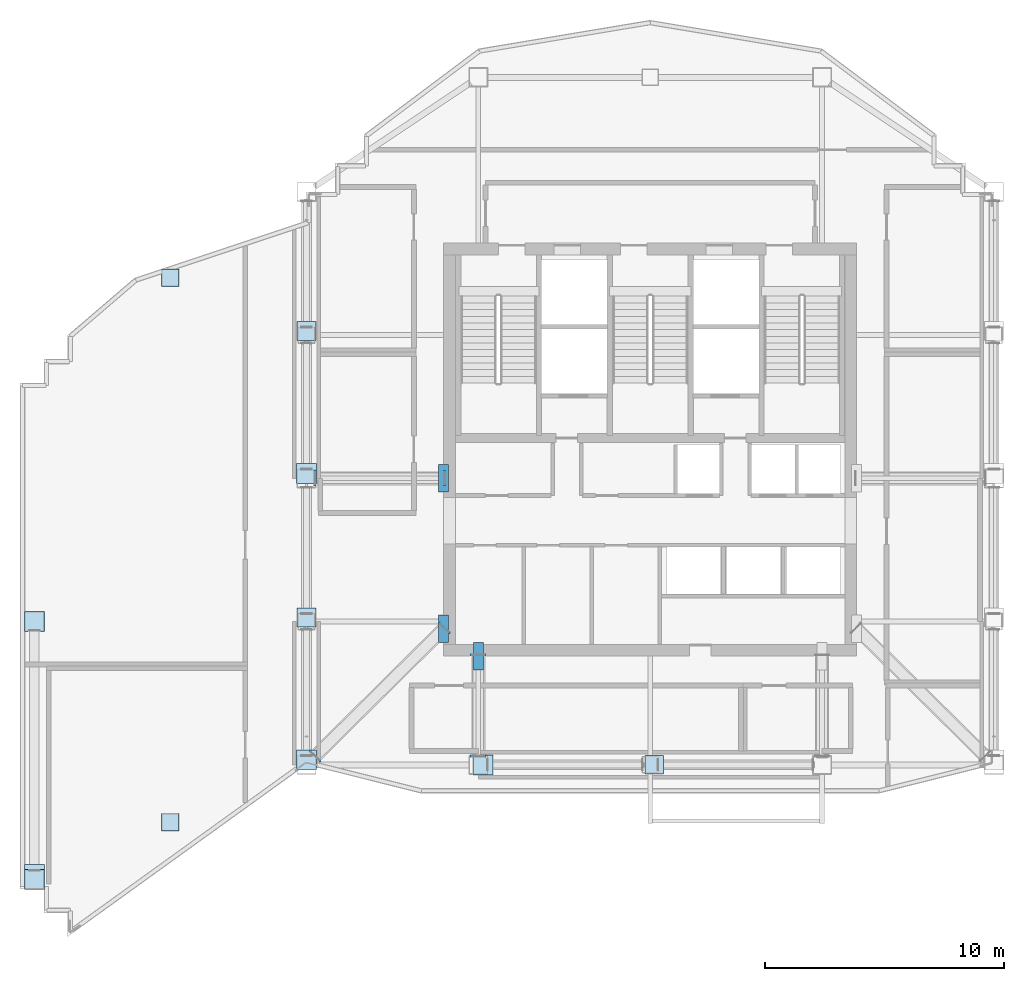
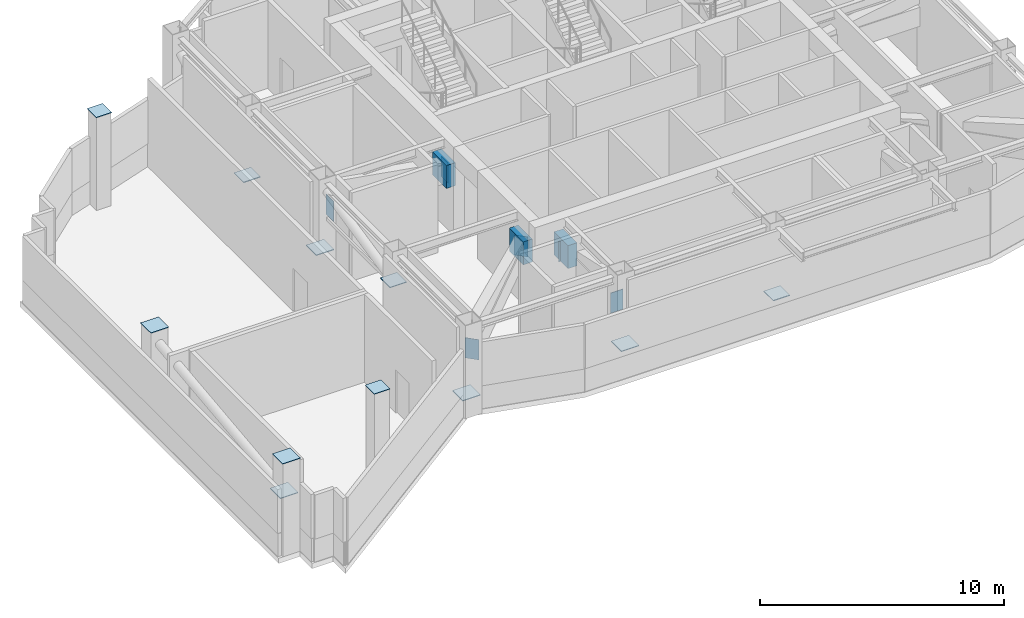
# One storey, part 2 of 15: 20 plates.
"""IFC4 building model written with IfcOpenShell, lengths in metres."""

from ifc_helpers import new_model, si_unit, direction, frame, origin, origin_2d, place, context, subcontext, project, spatial, rectangle, extrude, material, layer, layer_set, type_object, element, save


model = new_model("IFC4")

# Units and contexts
model_context = context("Model", 3, precision=1e-05, world=origin(), true_north=direction((0.0, 1.0)))
body_context = subcontext(model_context, "Body", "Model", "MODEL_VIEW")
ifc_project = project(units=[si_unit("LENGTHUNIT", "METRE"), si_unit("AREAUNIT", "SQUARE_METRE"), si_unit("VOLUMEUNIT", "CUBIC_METRE"), si_unit("PLANEANGLEUNIT", "RADIAN"), si_unit("MASSUNIT", "GRAM", prefix="KILO")], contexts=[model_context])

# Site, building, storey
site_placement = place(None, origin())
site = spatial("IfcSite", under=ifc_project, at=site_placement, CompositionType="ELEMENT")
building_placement = place(site_placement, origin())
building = spatial("IfcBuilding", under=site, at=building_placement, Name="Haolan Belvedere Tower", CompositionType="ELEMENT")
storey_placement = place(building_placement, frame((0.0, 0.0, 277.550048828125)))
storey = spatial("IfcBuildingStorey", under=building, at=storey_placement, Name="L70", CompositionType="ELEMENT", Elevation=277.550048828125)

# Plates
ifc_material_1 = material(Name="Steel Q355B", Category="steel")
ifc_layer_1 = layer(ifc_material_1, 0.02490234375, Name="Steel Q355B")
ifc_layer_set_1 = layer_set([ifc_layer_1], Name="Steel Q355B")
plate_type_1 = type_object("IfcPlateType", Name="PL-CAP-25", PredefinedType="SHEET", material=ifc_layer_set_1)
for number, where, z_axis, x_axis, name in (
    (1, (12.60009765625, 16.800048828125, 4.64990234375), (0.0, 0.0, 1.0), (1.0, 0.0, 0.0), "Hollow steel end-cap plate COL-L70-MC-T2-SW-TCAP"),
    (2, (12.60009765625, 27.60009765625, 4.64990234375), (0.0, 0.0, 1.0), (1.0, 0.0, 0.0), "Hollow steel end-cap plate COL-L70-MC-T2-MW-TCAP"),
):
    element("IfcPlate", number, at=place(storey_placement, frame(where, z_axis=z_axis, x_axis=x_axis)), inside=storey, type_object=plate_type_1, Name=name, PredefinedType="SHEET", context=body_context, shape_type="SweptSolid", body=[
        extrude(rectangle(XDim=0.840087890625, YDim=0.840087890625, at=origin_2d()), origin(), (0.0, 0.0, 1.0), 0.02490234375),
    ])
for number, where, z_axis, x_axis, name in (
    (3, (18.300048828125, 19.199951171875, 4.64990234375), (0.0, 0.0, 1.0), (1.0, 0.0, 0.0), "Hollow steel end-cap plate COL-L70-TC-T2-S1-TCAP"),
    (4, (18.300048828125, 42.0, 4.64990234375), (0.0, 0.0, 1.0), (1.0, 0.0, 0.0), "Hollow steel end-cap plate COL-L70-TC-T2-N1-TCAP"),
):
    element("IfcPlate", number, at=place(storey_placement, frame(where, z_axis=z_axis, x_axis=x_axis)), inside=storey, type_object=plate_type_1, Name=name, PredefinedType="SHEET", context=body_context, shape_type="SweptSolid", body=[
        extrude(rectangle(XDim=0.739990234375, YDim=0.739990234375, at=origin_2d()), origin(), (0.0, 0.0, 1.0), 0.02490234375),
    ])
for number, where, z_axis, x_axis, name in (
    (5, (29.79248046875, 33.60009765625, 2.27490234375), (0.0, 0.0, 1.0), (0.0, 1.0, 0.0), "Hollow steel end-cap plate OR-W1-L70-BC-CAP0"),
    (6, (24.357421875, 33.60009765625, 2.27490234375), (0.0, 0.0, 1.0), (0.0, -1.0, 0.0), "Hollow steel end-cap plate OR-W1-L70-BC-CAP1"),
    (7, (29.7802734375, 27.329833984375, 2.27490234375), (0.0, 0.0, 1.0), (-0.704014724456, 0.710185375623, 0.0), "Hollow steel end-cap plate OR-W2-L70-BC-CAP0"),
    (8, (24.369873046875, 21.966552734375, 2.27490234375), (0.0, 0.0, 1.0), (0.704014724456, -0.710185375623, 0.0), "Hollow steel end-cap plate OR-W2-L70-BC-CAP1"),
    (9, (31.199951171875, 26.1923828125, 2.27490234375), (0.0, 0.0, 1.0), (-1.0, 0.0, 0.0), "Hollow steel end-cap plate OR-S1-L70-BC-CAP0"),
    (10, (31.199951171875, 21.95751953125, 2.27490234375), (0.0, 0.0, 1.0), (1.0, 0.0, 0.0), "Hollow steel end-cap plate OR-S1-L70-BC-CAP1"),
):
    element("IfcPlate", number, at=place(storey_placement, frame(where, z_axis=z_axis, x_axis=x_axis)), inside=storey, type_object=plate_type_1, Name=name, PredefinedType="SHEET", context=body_context, shape_type="SweptSolid", body=[
        extrude(rectangle(XDim=0.590087890625, YDim=0.02490234375, at=origin_2d()), origin(), (0.0, 0.0, 1.0), 1.010009765625),
    ])
ifc_material_2 = material(Name="Steel Q420GJC", Category="steel")
ifc_layer_2 = layer(ifc_material_2, 0.0400390625, Name="Steel Q420GJC")
ifc_layer_set_2 = layer_set([ifc_layer_2], Name="Steel Q420GJC")
plate_type_2 = type_object("IfcPlateType", Name="PL-NODE-NP02", PredefinedType="USERDEFINED", material=ifc_layer_set_2)
for number, where, z_axis, x_axis, name in (
    (11, (29.75, 33.60009765625, 2.27490234375), (0.0, 0.0, 1.0), (1.0, 0.0, 0.0), "NP-02 outrigger truss core-wall cast-in node plate L70 OR-W1"),
    (12, (29.75, 27.300048828125, 2.27490234375), (0.0, 0.0, 1.0), (1.0, 0.0, 0.0), "NP-02 outrigger truss core-wall cast-in node plate L70 OR-W2"),
    (13, (31.199951171875, 26.14990234375, 2.27490234375), (0.0, 0.0, 1.0), (1.0, 0.0, 0.0), "NP-02 outrigger truss core-wall cast-in node plate L70 OR-S1"),
):
    element("IfcPlate", number, at=place(storey_placement, frame(where, z_axis=z_axis, x_axis=x_axis)), inside=storey, type_object=plate_type_2, Name=name, ObjectType="GUSSET", PredefinedType="USERDEFINED", context=body_context, shape_type="SweptSolid", body=[
        extrude(rectangle(XDim=0.419921875, YDim=1.14990234375, at=origin_2d()), origin(), (0.0, 0.0, 1.0), 1.14990234375),
    ])
ifc_material_3 = material(Name="Steel Q390GJC", Category="steel")
ifc_layer_3 = layer(ifc_material_3, 0.035888671875, Name="Steel Q390GJC")
ifc_layer_set_3 = layer_set([ifc_layer_3], Name="Steel Q390GJC")
plate_type_3 = type_object("IfcPlateType", Name="PL-NODE-NP03", PredefinedType="USERDEFINED", material=ifc_layer_set_3)
plate_1_placement = place(storey_placement, frame((24.0, 21.794921875, 0.7822265625), z_axis=(0.0, 0.0, 1.0), x_axis=(1.0, 0.0, 0.0)))
element("IfcPlate", 14, at=plate_1_placement, inside=storey, type_object=plate_type_3, Name="NP-03 belt truss node plate L70 BT-W1", ObjectType="GUSSET", PredefinedType="USERDEFINED", context=body_context, shape_type="SweptSolid", body=[
    extrude(rectangle(XDim=0.840087890625, YDim=0.840087890625, at=origin_2d()), origin(), (0.0, 0.0, 1.0), 0.035888671875),
])
plate_2_placement = place(storey_placement, frame((24.0, 27.77001953125, 2.80224609375), z_axis=(0.0, 0.0, 1.0), x_axis=(1.0, 0.0, 0.0)))
element("IfcPlate", 15, at=plate_2_placement, inside=storey, type_object=plate_type_3, Name="NP-03 belt truss node plate L70 BT-W2", ObjectType="GUSSET", PredefinedType="USERDEFINED", context=body_context, shape_type="SweptSolid", body=[
    extrude(rectangle(XDim=0.7900390625, YDim=0.7900390625, at=origin_2d()), origin(), (0.0, 0.0, 1.0), 0.035888671875),
])
plate_3_placement = place(storey_placement, frame((24.0, 33.794921875, 0.7822265625), z_axis=(0.0, 0.0, 1.0), x_axis=(1.0, 0.0, 0.0)))
element("IfcPlate", 16, at=plate_3_placement, inside=storey, type_object=plate_type_3, Name="NP-03 belt truss node plate L70 BT-W3", ObjectType="GUSSET", PredefinedType="USERDEFINED", context=body_context, shape_type="SweptSolid", body=[
    extrude(rectangle(XDim=0.840087890625, YDim=0.840087890625, at=origin_2d()), origin(), (0.0, 0.0, 1.0), 0.035888671875),
])
plate_4_placement = place(storey_placement, frame((24.0, 39.77001953125, 0.7822265625), z_axis=(0.0, 0.0, 1.0), x_axis=(1.0, 0.0, 0.0)))
element("IfcPlate", 17, at=plate_4_placement, inside=storey, type_object=plate_type_3, Name="NP-03 belt truss node plate L70 BT-W4", ObjectType="GUSSET", PredefinedType="USERDEFINED", context=body_context, shape_type="SweptSolid", body=[
    extrude(rectangle(XDim=0.7900390625, YDim=0.7900390625, at=origin_2d()), origin(), (0.0, 0.0, 1.0), 0.035888671875),
])
plate_5_placement = place(storey_placement, frame((31.39501953125, 21.60009765625, 0.7822265625), z_axis=(0.0, 0.0, 1.0), x_axis=(1.0, 0.0, 0.0)))
element("IfcPlate", 18, at=plate_5_placement, inside=storey, type_object=plate_type_3, Name="NP-03 belt truss node plate L70 BT-S1", ObjectType="GUSSET", PredefinedType="USERDEFINED", context=body_context, shape_type="SweptSolid", body=[
    extrude(rectangle(XDim=0.840087890625, YDim=0.840087890625, at=origin_2d()), origin(), (0.0, 0.0, 1.0), 0.035888671875),
])
plate_6_placement = place(storey_placement, frame((38.570068359375, 21.60009765625, 0.7822265625), z_axis=(0.0, 0.0, 1.0), x_axis=(1.0, 0.0, 0.0)))
element("IfcPlate", 19, at=plate_6_placement, inside=storey, type_object=plate_type_3, Name="NP-03 belt truss node plate L70 BT-S2", ObjectType="GUSSET", PredefinedType="USERDEFINED", context=body_context, shape_type="SweptSolid", body=[
    extrude(rectangle(XDim=0.7900390625, YDim=0.7900390625, at=origin_2d()), origin(), (0.0, 0.0, 1.0), 0.035888671875),
])
plate_7_placement = place(storey_placement, frame((12.60009765625, 16.9951171875, 2.80224609375), z_axis=(0.0, 0.0, 1.0), x_axis=(1.0, 0.0, 0.0)))
element("IfcPlate", 20, at=plate_7_placement, inside=storey, type_object=plate_type_3, Name="NP-03 belt truss node plate L70 BT-T2", ObjectType="GUSSET", PredefinedType="USERDEFINED", context=body_context, shape_type="SweptSolid", body=[
    extrude(rectangle(XDim=0.840087890625, YDim=0.840087890625, at=origin_2d()), origin(), (0.0, 0.0, 1.0), 0.035888671875),
])

save(model, "model.ifc")
